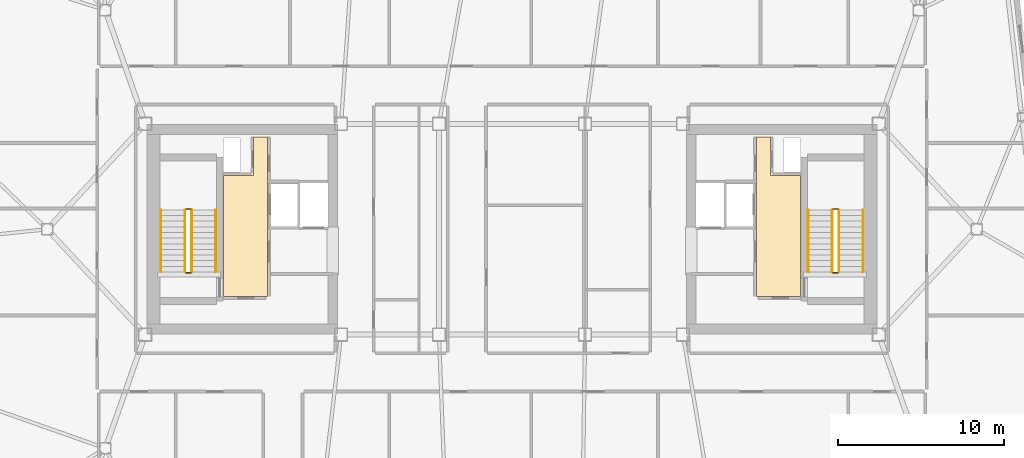
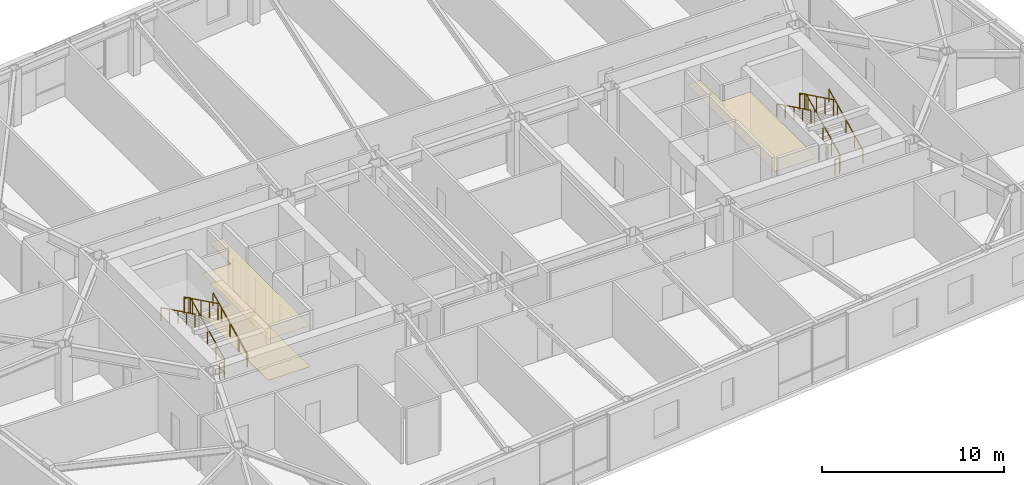
# One storey, part 19 of 19: 12 railings, 3 coverings.
"""IFC4 building model written with IfcOpenShell, lengths in metres."""

from ifc_helpers import new_model, si_unit, direction, frame, origin, origin_2d, place, context, subcontext, project, spatial, polyline, rectangle, outline, extrude, material, layer, layer_set, type_object, element, save


model = new_model("IFC4")

# Units and contexts
model_context = context("Model", 3, precision=1e-05, world=origin(), true_north=direction((0.0, 1.0)))
body_context = subcontext(model_context, "Body", "Model", "MODEL_VIEW")
ifc_project = project(units=[si_unit("LENGTHUNIT", "METRE"), si_unit("AREAUNIT", "SQUARE_METRE"), si_unit("VOLUMEUNIT", "CUBIC_METRE"), si_unit("PLANEANGLEUNIT", "RADIAN"), si_unit("MASSUNIT", "GRAM", prefix="KILO")], contexts=[model_context])

# Site, building, storey
site_placement = place(None, origin())
site = spatial("IfcSite", under=ifc_project, at=site_placement, CompositionType="ELEMENT")
building_placement = place(site_placement, origin())
building = spatial("IfcBuilding", under=site, at=building_placement, Name="Tavrogorsk Clinical Tower", CompositionType="ELEMENT")
storey_placement = place(building_placement, frame((0.0, 0.0, 255.0)))
storey = spatial("IfcBuildingStorey", under=building, at=storey_placement, Name="L59", CompositionType="ELEMENT", Elevation=255.0)

# Coverings
ifc_material_1 = material(Name="Antibacterial micro-perforated aluminium ceiling", Category="aluminium")
ifc_layer_1 = layer(ifc_material_1, 0.014892578125)
ifc_layer_set_1 = layer_set([ifc_layer_1], Name="Antibacterial micro-perforated aluminium ceiling")
covering_type_1 = type_object("IfcCoveringType", Name="ClinicalCeiling_15", PredefinedType="CEILING", material=ifc_layer_set_1)
covering_1_placement = place(storey_placement, frame((0.0, 0.0, 2.75)))
element("IfcCovering", 1, at=covering_1_placement, inside=storey, type_object=covering_type_1, Name="Core West Firefighting Lift Lobby Acoustic Ceiling", PredefinedType="CEILING", context=body_context, shape_type="SweptSolid", body=[
    extrude(outline(polyline([(-14.719970703125, 5.56005859375), (-14.719970703125, -4.06005859375), (-17.3798828125, -4.06005859375), (-17.3798828125, 3.239990234375), (-15.56005859375, 3.239990234375), (-15.56005859375, 5.56005859375), (-14.719970703125, 5.56005859375)])), origin(), (0.0, 0.0, 1.0), 0.014892578125),
])
covering_2_placement = place(storey_placement, frame((0.0, 0.0, 2.75)))
element("IfcCovering", 2, at=covering_2_placement, inside=storey, type_object=covering_type_1, Name="Core East Firefighting Lift Lobby Acoustic Ceiling", PredefinedType="CEILING", context=body_context, shape_type="SweptSolid", body=[
    extrude(outline(polyline([(17.3798828125, -4.06005859375), (14.719970703125, -4.06005859375), (14.719970703125, 5.56005859375), (15.56005859375, 5.56005859375), (15.56005859375, 3.239990234375), (17.3798828125, 3.239990234375), (17.3798828125, -4.06005859375)])), origin(), (0.0, 0.0, 1.0), 0.014892578125),
])
ifc_material_2 = material(Name="Homogeneous medical conductive PVC flooring")
ifc_layer_2 = layer(ifc_material_2, 0.008056640625)
ifc_layer_set_2 = layer_set([ifc_layer_2], Name="Homogeneous medical conductive PVC flooring")
covering_type_2 = type_object("IfcCoveringType", Name="ResilientVinylFloor_8", PredefinedType="FLOORING", material=ifc_layer_set_2)
covering_3_placement = place(storey_placement, origin())
element("IfcCovering", 3, at=covering_3_placement, inside=storey, type_object=covering_type_2, Name="Core West Firefighting Lift Lobby Conductive Vinyl Flooring", PredefinedType="FLOORING", context=body_context, shape_type="SweptSolid", body=[
    extrude(outline(polyline([(-14.719970703125, 5.56005859375), (-14.719970703125, -4.06005859375), (-17.3798828125, -4.06005859375), (-17.3798828125, 3.239990234375), (-15.56005859375, 3.239990234375), (-15.56005859375, 5.56005859375), (-14.719970703125, 5.56005859375)])), origin(), (0.0, 0.0, 1.0), 0.008056640625),
])

# Railings
ifc_material_3 = material(Name="Galvanised steel S355 safety stairwell guard", Category="steel")
ifc_layer_3 = layer(ifc_material_3, 0.06005859375)
ifc_layer_set_3 = layer_set([ifc_layer_3], Name="Galvanised steel S355 safety stairwell guard")
railing_type_1 = type_object("IfcRailingType", Name="StairGuard_1150", PredefinedType="GUARDRAIL", material=ifc_layer_set_3)
railing_1_placement = place(storey_placement, frame((-19.300048828125, -2.574951171875, 0.166748046875)))
element("IfcRailing", 4, at=railing_1_placement, inside=storey, type_object=railing_type_1, Name="L59 ST-W stair guard 1", PredefinedType="GUARDRAIL", context=body_context, shape_type="SweptSolid", body=[
    extrude(rectangle(XDim=0.048095703125, YDim=0.048095703125, at=origin_2d()), frame((0.0, 0.0, 1.076171875), z_axis=(0.0, 0.897927990467, 0.440142390523), x_axis=(-1.0, 0.0, 0.0)), (0.0, 0.0, 1.0), 4.1650390625),
    extrude(rectangle(XDim=0.0419921875, YDim=0.0419921875, at=origin_2d()), origin(), (0.0, 0.0, 1.0), 1.052001953125),
    extrude(rectangle(XDim=0.0419921875, YDim=0.0419921875, at=origin_2d()), frame((0.0, 0.93505859375, 0.458251953125)), (0.0, 0.0, 1.0), 1.052001953125),
    extrude(rectangle(XDim=0.0419921875, YDim=0.0419921875, at=origin_2d()), frame((0.0, 1.8701171875, 0.91650390625)), (0.0, 0.0, 1.0), 1.052001953125),
    extrude(rectangle(XDim=0.0419921875, YDim=0.0419921875, at=origin_2d()), frame((0.0, 2.804931640625, 1.375)), (0.0, 0.0, 1.0), 1.052001953125),
    extrude(rectangle(XDim=0.0419921875, YDim=0.0419921875, at=origin_2d()), frame((0.0, 3.739990234375, 1.833251953125)), (0.0, 0.0, 1.0), 1.052001953125),
])
railing_2_placement = place(storey_placement, frame((-19.35009765625, 1.215087890625, 2.0)))
element("IfcRailing", 5, at=railing_2_placement, inside=storey, type_object=railing_type_1, Name="L59 ST-W stair guard 2", PredefinedType="GUARDRAIL", context=body_context, shape_type="SweptSolid", body=[
    extrude(rectangle(XDim=0.048095703125, YDim=0.048095703125, at=origin_2d()), frame((0.0, 0.0, 1.076171875), z_axis=(-1.0, 0.0, 0.0), x_axis=(0.0, -1.0, 0.0)), (0.0, 0.0, 1.0), 0.2998046875),
    extrude(rectangle(XDim=0.0419921875, YDim=0.0419921875, at=origin_2d()), origin(), (0.0, 0.0, 1.0), 1.052001953125),
    extrude(rectangle(XDim=0.0419921875, YDim=0.0419921875, at=origin_2d()), frame((-0.2998046875, 0.0, 0.0)), (0.0, 0.0, 1.0), 1.052001953125),
])
railing_3_placement = place(storey_placement, frame((-19.699951171875, 1.1650390625, 2.166748046875)))
element("IfcRailing", 6, at=railing_3_placement, inside=storey, type_object=railing_type_1, Name="L59 ST-W stair guard 3", PredefinedType="GUARDRAIL", context=body_context, shape_type="SweptSolid", body=[
    extrude(rectangle(XDim=0.048095703125, YDim=0.048095703125, at=origin_2d()), frame((0.0, 0.0, 1.076171875), z_axis=(0.0, -0.897927990467, 0.440142390523), x_axis=(1.0, 0.0, 0.0)), (0.0, 0.0, 1.0), 4.1650390625),
    extrude(rectangle(XDim=0.0419921875, YDim=0.0419921875, at=origin_2d()), origin(), (0.0, 0.0, 1.0), 1.052001953125),
    extrude(rectangle(XDim=0.0419921875, YDim=0.0419921875, at=origin_2d()), frame((0.0, -0.93505859375, 0.458251953125)), (0.0, 0.0, 1.0), 1.052001953125),
    extrude(rectangle(XDim=0.0419921875, YDim=0.0419921875, at=origin_2d()), frame((0.0, -1.8701171875, 0.91650390625)), (0.0, 0.0, 1.0), 1.052001953125),
    extrude(rectangle(XDim=0.0419921875, YDim=0.0419921875, at=origin_2d()), frame((0.0, -2.804931640625, 1.375)), (0.0, 0.0, 1.0), 1.052001953125),
    extrude(rectangle(XDim=0.0419921875, YDim=0.0419921875, at=origin_2d()), frame((0.0, -3.739990234375, 1.833251953125)), (0.0, 0.0, 1.0), 1.052001953125),
])
railing_4_placement = place(storey_placement, frame((-19.35009765625, -2.625, 0.0)))
element("IfcRailing", 7, at=railing_4_placement, inside=storey, type_object=railing_type_1, Name="L59 ST-W stair guard 4", PredefinedType="GUARDRAIL", context=body_context, shape_type="SweptSolid", body=[
    extrude(rectangle(XDim=0.048095703125, YDim=0.048095703125, at=origin_2d()), frame((0.0, 0.0, 1.076171875), z_axis=(-1.0, 0.0, 0.0), x_axis=(0.0, -1.0, 0.0)), (0.0, 0.0, 1.0), 0.2998046875),
    extrude(rectangle(XDim=0.0419921875, YDim=0.0419921875, at=origin_2d()), origin(), (0.0, 0.0, 1.0), 1.052001953125),
    extrude(rectangle(XDim=0.0419921875, YDim=0.0419921875, at=origin_2d()), frame((-0.2998046875, 0.0, 0.0)), (0.0, 0.0, 1.0), 1.052001953125),
])
railing_5_placement = place(storey_placement, frame((19.699951171875, -2.574951171875, 0.166748046875)))
element("IfcRailing", 8, at=railing_5_placement, inside=storey, type_object=railing_type_1, Name="L59 ST-E stair guard 1", PredefinedType="GUARDRAIL", context=body_context, shape_type="SweptSolid", body=[
    extrude(rectangle(XDim=0.048095703125, YDim=0.048095703125, at=origin_2d()), frame((0.0, 0.0, 1.076171875), z_axis=(0.0, 0.897927990467, 0.440142390523), x_axis=(-1.0, 0.0, 0.0)), (0.0, 0.0, 1.0), 4.1650390625),
    extrude(rectangle(XDim=0.0419921875, YDim=0.0419921875, at=origin_2d()), origin(), (0.0, 0.0, 1.0), 1.052001953125),
    extrude(rectangle(XDim=0.0419921875, YDim=0.0419921875, at=origin_2d()), frame((0.0, 0.93505859375, 0.458251953125)), (0.0, 0.0, 1.0), 1.052001953125),
    extrude(rectangle(XDim=0.0419921875, YDim=0.0419921875, at=origin_2d()), frame((0.0, 1.8701171875, 0.91650390625)), (0.0, 0.0, 1.0), 1.052001953125),
    extrude(rectangle(XDim=0.0419921875, YDim=0.0419921875, at=origin_2d()), frame((0.0, 2.804931640625, 1.375)), (0.0, 0.0, 1.0), 1.052001953125),
    extrude(rectangle(XDim=0.0419921875, YDim=0.0419921875, at=origin_2d()), frame((0.0, 3.739990234375, 1.833251953125)), (0.0, 0.0, 1.0), 1.052001953125),
])
railing_6_placement = place(storey_placement, frame((19.64990234375, 1.215087890625, 2.0)))
element("IfcRailing", 9, at=railing_6_placement, inside=storey, type_object=railing_type_1, Name="L59 ST-E stair guard 2", PredefinedType="GUARDRAIL", context=body_context, shape_type="SweptSolid", body=[
    extrude(rectangle(XDim=0.048095703125, YDim=0.048095703125, at=origin_2d()), frame((0.0, 0.0, 1.076171875), z_axis=(-1.0, 0.0, 0.0), x_axis=(0.0, -1.0, 0.0)), (0.0, 0.0, 1.0), 0.2998046875),
    extrude(rectangle(XDim=0.0419921875, YDim=0.0419921875, at=origin_2d()), origin(), (0.0, 0.0, 1.0), 1.052001953125),
    extrude(rectangle(XDim=0.0419921875, YDim=0.0419921875, at=origin_2d()), frame((-0.2998046875, 0.0, 0.0)), (0.0, 0.0, 1.0), 1.052001953125),
])
railing_7_placement = place(storey_placement, frame((19.300048828125, 1.1650390625, 2.166748046875)))
element("IfcRailing", 10, at=railing_7_placement, inside=storey, type_object=railing_type_1, Name="L59 ST-E stair guard 3", PredefinedType="GUARDRAIL", context=body_context, shape_type="SweptSolid", body=[
    extrude(rectangle(XDim=0.048095703125, YDim=0.048095703125, at=origin_2d()), frame((0.0, 0.0, 1.076171875), z_axis=(0.0, -0.897927990467, 0.440142390523), x_axis=(1.0, 0.0, 0.0)), (0.0, 0.0, 1.0), 4.1650390625),
    extrude(rectangle(XDim=0.0419921875, YDim=0.0419921875, at=origin_2d()), origin(), (0.0, 0.0, 1.0), 1.052001953125),
    extrude(rectangle(XDim=0.0419921875, YDim=0.0419921875, at=origin_2d()), frame((0.0, -0.93505859375, 0.458251953125)), (0.0, 0.0, 1.0), 1.052001953125),
    extrude(rectangle(XDim=0.0419921875, YDim=0.0419921875, at=origin_2d()), frame((0.0, -1.8701171875, 0.91650390625)), (0.0, 0.0, 1.0), 1.052001953125),
    extrude(rectangle(XDim=0.0419921875, YDim=0.0419921875, at=origin_2d()), frame((0.0, -2.804931640625, 1.375)), (0.0, 0.0, 1.0), 1.052001953125),
    extrude(rectangle(XDim=0.0419921875, YDim=0.0419921875, at=origin_2d()), frame((0.0, -3.739990234375, 1.833251953125)), (0.0, 0.0, 1.0), 1.052001953125),
])
railing_8_placement = place(storey_placement, frame((19.64990234375, -2.625, 0.0)))
element("IfcRailing", 11, at=railing_8_placement, inside=storey, type_object=railing_type_1, Name="L59 ST-E stair guard 4", PredefinedType="GUARDRAIL", context=body_context, shape_type="SweptSolid", body=[
    extrude(rectangle(XDim=0.048095703125, YDim=0.048095703125, at=origin_2d()), frame((0.0, 0.0, 1.076171875), z_axis=(-1.0, 0.0, 0.0), x_axis=(0.0, -1.0, 0.0)), (0.0, 0.0, 1.0), 0.2998046875),
    extrude(rectangle(XDim=0.0419921875, YDim=0.0419921875, at=origin_2d()), origin(), (0.0, 0.0, 1.0), 1.052001953125),
    extrude(rectangle(XDim=0.0419921875, YDim=0.0419921875, at=origin_2d()), frame((-0.2998046875, 0.0, 0.0)), (0.0, 0.0, 1.0), 1.052001953125),
])
ifc_material_4 = material(Name="Stainless steel AISI 304 tubular handrail", Category="steel")
ifc_layer_4 = layer(ifc_material_4, 0.050048828125)
ifc_layer_set_4 = layer_set([ifc_layer_4], Name="Stainless steel AISI 304 tubular handrail")
railing_type_2 = type_object("IfcRailingType", Name="StairHandrail_920", PredefinedType="HANDRAIL", material=ifc_layer_set_4)
railing_9_placement = place(storey_placement, frame((-17.85009765625, -2.574951171875, 0.166748046875)))
element("IfcRailing", 12, at=railing_9_placement, inside=storey, type_object=railing_type_2, Name="L59 ST-W stair handrail 1", PredefinedType="HANDRAIL", context=body_context, shape_type="SweptSolid", body=[
    extrude(rectangle(XDim=0.048095703125, YDim=0.048095703125, at=origin_2d()), frame((0.0, 0.0, 0.8759765625), z_axis=(0.0, 0.897927990467, 0.440142390523), x_axis=(-1.0, 0.0, 0.0)), (0.0, 0.0, 1.0), 4.1650390625),
    extrude(rectangle(XDim=0.0419921875, YDim=0.0419921875, at=origin_2d()), origin(), (0.0, 0.0, 1.0), 0.851806640625),
    extrude(rectangle(XDim=0.0419921875, YDim=0.0419921875, at=origin_2d()), frame((0.0, 0.93505859375, 0.458251953125)), (0.0, 0.0, 1.0), 0.851806640625),
    extrude(rectangle(XDim=0.0419921875, YDim=0.0419921875, at=origin_2d()), frame((0.0, 1.8701171875, 0.91650390625)), (0.0, 0.0, 1.0), 0.851806640625),
    extrude(rectangle(XDim=0.0419921875, YDim=0.0419921875, at=origin_2d()), frame((0.0, 2.804931640625, 1.375)), (0.0, 0.0, 1.0), 0.851806640625),
    extrude(rectangle(XDim=0.0419921875, YDim=0.0419921875, at=origin_2d()), frame((0.0, 3.739990234375, 1.833251953125)), (0.0, 0.0, 1.0), 0.851806640625),
])
railing_10_placement = place(storey_placement, frame((-21.14990234375, 1.1650390625, 2.166748046875)))
element("IfcRailing", 13, at=railing_10_placement, inside=storey, type_object=railing_type_2, Name="L59 ST-W stair handrail 2", PredefinedType="HANDRAIL", context=body_context, shape_type="SweptSolid", body=[
    extrude(rectangle(XDim=0.048095703125, YDim=0.048095703125, at=origin_2d()), frame((0.0, 0.0, 0.8759765625), z_axis=(0.0, -0.897927990467, 0.440142390523), x_axis=(1.0, 0.0, 0.0)), (0.0, 0.0, 1.0), 4.1650390625),
    extrude(rectangle(XDim=0.0419921875, YDim=0.0419921875, at=origin_2d()), origin(), (0.0, 0.0, 1.0), 0.851806640625),
    extrude(rectangle(XDim=0.0419921875, YDim=0.0419921875, at=origin_2d()), frame((0.0, -0.93505859375, 0.458251953125)), (0.0, 0.0, 1.0), 0.851806640625),
    extrude(rectangle(XDim=0.0419921875, YDim=0.0419921875, at=origin_2d()), frame((0.0, -1.8701171875, 0.91650390625)), (0.0, 0.0, 1.0), 0.851806640625),
    extrude(rectangle(XDim=0.0419921875, YDim=0.0419921875, at=origin_2d()), frame((0.0, -2.804931640625, 1.375)), (0.0, 0.0, 1.0), 0.851806640625),
    extrude(rectangle(XDim=0.0419921875, YDim=0.0419921875, at=origin_2d()), frame((0.0, -3.739990234375, 1.833251953125)), (0.0, 0.0, 1.0), 0.851806640625),
])
railing_11_placement = place(storey_placement, frame((21.14990234375, -2.574951171875, 0.166748046875)))
element("IfcRailing", 14, at=railing_11_placement, inside=storey, type_object=railing_type_2, Name="L59 ST-E stair handrail 1", PredefinedType="HANDRAIL", context=body_context, shape_type="SweptSolid", body=[
    extrude(rectangle(XDim=0.048095703125, YDim=0.048095703125, at=origin_2d()), frame((0.0, 0.0, 0.8759765625), z_axis=(0.0, 0.897927990467, 0.440142390523), x_axis=(-1.0, 0.0, 0.0)), (0.0, 0.0, 1.0), 4.1650390625),
    extrude(rectangle(XDim=0.0419921875, YDim=0.0419921875, at=origin_2d()), origin(), (0.0, 0.0, 1.0), 0.851806640625),
    extrude(rectangle(XDim=0.0419921875, YDim=0.0419921875, at=origin_2d()), frame((0.0, 0.93505859375, 0.458251953125)), (0.0, 0.0, 1.0), 0.851806640625),
    extrude(rectangle(XDim=0.0419921875, YDim=0.0419921875, at=origin_2d()), frame((0.0, 1.8701171875, 0.91650390625)), (0.0, 0.0, 1.0), 0.851806640625),
    extrude(rectangle(XDim=0.0419921875, YDim=0.0419921875, at=origin_2d()), frame((0.0, 2.804931640625, 1.375)), (0.0, 0.0, 1.0), 0.851806640625),
    extrude(rectangle(XDim=0.0419921875, YDim=0.0419921875, at=origin_2d()), frame((0.0, 3.739990234375, 1.833251953125)), (0.0, 0.0, 1.0), 0.851806640625),
])
railing_12_placement = place(storey_placement, frame((17.85009765625, 1.1650390625, 2.166748046875)))
element("IfcRailing", 15, at=railing_12_placement, inside=storey, type_object=railing_type_2, Name="L59 ST-E stair handrail 2", PredefinedType="HANDRAIL", context=body_context, shape_type="SweptSolid", body=[
    extrude(rectangle(XDim=0.048095703125, YDim=0.048095703125, at=origin_2d()), frame((0.0, 0.0, 0.8759765625), z_axis=(0.0, -0.897927990467, 0.440142390523), x_axis=(1.0, 0.0, 0.0)), (0.0, 0.0, 1.0), 4.1650390625),
    extrude(rectangle(XDim=0.0419921875, YDim=0.0419921875, at=origin_2d()), origin(), (0.0, 0.0, 1.0), 0.851806640625),
    extrude(rectangle(XDim=0.0419921875, YDim=0.0419921875, at=origin_2d()), frame((0.0, -0.93505859375, 0.458251953125)), (0.0, 0.0, 1.0), 0.851806640625),
    extrude(rectangle(XDim=0.0419921875, YDim=0.0419921875, at=origin_2d()), frame((0.0, -1.8701171875, 0.91650390625)), (0.0, 0.0, 1.0), 0.851806640625),
    extrude(rectangle(XDim=0.0419921875, YDim=0.0419921875, at=origin_2d()), frame((0.0, -2.804931640625, 1.375)), (0.0, 0.0, 1.0), 0.851806640625),
    extrude(rectangle(XDim=0.0419921875, YDim=0.0419921875, at=origin_2d()), frame((0.0, -3.739990234375, 1.833251953125)), (0.0, 0.0, 1.0), 0.851806640625),
])

save(model, "model.ifc")
